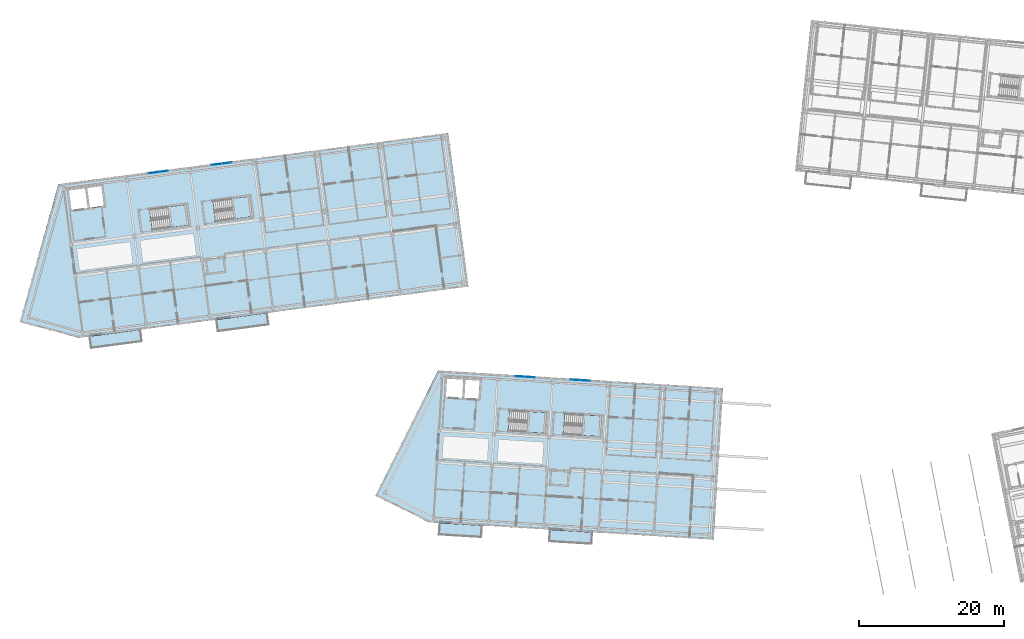
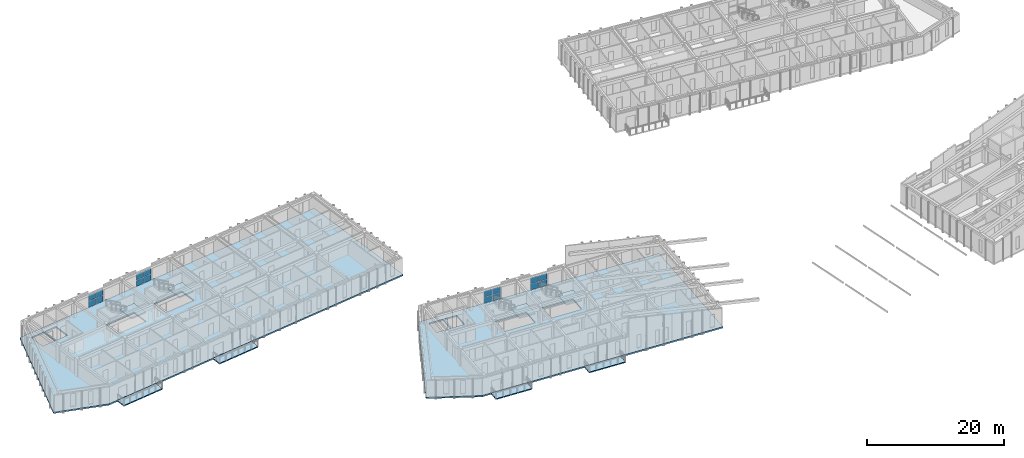
# One storey, part 17 of 56: 16 plates, 10 slabs, 8 elements without a shape of their own.
"""IFC4 building model written with IfcOpenShell, lengths in metres."""

from ifc_helpers import new_model, si_unit, direction, frame, origin, origin_2d, place, context, subcontext, project, spatial, polyline, rectangle, outline, extrude, material, layer, layer_set, type_object, element, aggregate, save


model = new_model("IFC4")

# Units and contexts
model_context = context("Model", 3, precision=1e-05, world=origin(), true_north=direction((0.0, 1.0)))
body_context = subcontext(model_context, "Body", "Model", "MODEL_VIEW")
ifc_project = project(units=[si_unit("LENGTHUNIT", "METRE"), si_unit("AREAUNIT", "SQUARE_METRE"), si_unit("VOLUMEUNIT", "CUBIC_METRE"), si_unit("PLANEANGLEUNIT", "RADIAN"), si_unit("MASSUNIT", "GRAM", prefix="KILO")], contexts=[model_context])

# Site, building, storey
site_placement = place(None, origin())
site = spatial("IfcSite", under=ifc_project, at=site_placement, CompositionType="ELEMENT")
building_placement = place(site_placement, origin())
building = spatial("IfcBuilding", under=site, at=building_placement, Name="Kestramere Prow Commons", CompositionType="ELEMENT")
storey_placement = place(building_placement, frame((0.0, 0.0, 27.89990234375)))
storey = spatial("IfcBuildingStorey", under=building, at=storey_placement, Name="L08", CompositionType="ELEMENT", Elevation=27.89990234375)

# Curtain wall, plates
ifc_material_1 = material(Name="Anodised Aluminium and Low-E Glass", Category="aluminium")
curtain_wall_type = type_object("IfcCurtainWallType", Name="CW-03 Glazed Curtain Wall 2830x2320", PredefinedType="USERDEFINED", material=ifc_material_1)
curtain_wall_1_placement = place(storey_placement, origin())
curtain_wall_1 = element("IfcCurtainWall", 1, at=curtain_wall_1_placement, inside=storey, type_object=curtain_wall_type, Name="Block A L08 Stairwell Vertical Glazing 2", ObjectType="GLAZED CURTAIN WALL", PredefinedType="USERDEFINED")
ifc_material_2 = material(Name="Low-E Laminated Double Glazing", Category="glass")
ifc_layer_1 = layer(ifc_material_2, 0.028076171875)
ifc_layer_set_1 = layer_set([ifc_layer_1], Name="Low-E Laminated Double Glazing")
plate_type = type_object("IfcPlateType", Name="CW-PNL-28", PredefinedType="CURTAIN_PANEL", material=ifc_layer_set_1)
plate_1_placement = place(storey_placement, frame((20.922607421875, 93.982177734375, 0.065185546875), z_axis=(0.0, 0.0, 1.0), x_axis=(0.991444867297, 0.13052614723, 0.0)))
plate_1 = element("IfcPlate", 2, at=plate_1_placement, type_object=plate_type, Name="CW-03 panel 1.1", PredefinedType="CURTAIN_PANEL", context=body_context, shape_type="SweptSolid", body=[
    extrude(rectangle(XDim=1.3173828125, YDim=0.028076171875, at=origin_2d()), origin(), (0.0, 0.0, 1.0), 1.0625),
])
plate_2_placement = place(storey_placement, frame((20.922607421875, 93.982177734375, 1.192626953125), z_axis=(0.0, 0.0, 1.0), x_axis=(0.991444867297, 0.13052614723, 0.0)))
plate_2 = element("IfcPlate", 3, at=plate_2_placement, type_object=plate_type, Name="CW-03 panel 1.2", PredefinedType="CURTAIN_PANEL", context=body_context, shape_type="SweptSolid", body=[
    extrude(rectangle(XDim=1.3173828125, YDim=0.028076171875, at=origin_2d()), origin(), (0.0, 0.0, 1.0), 1.0625),
])
plate_3_placement = place(storey_placement, frame((22.29345703125, 94.16259765625, 0.065185546875), z_axis=(0.0, 0.0, 1.0), x_axis=(0.991444867297, 0.13052614723, 0.0)))
plate_3 = element("IfcPlate", 4, at=plate_3_placement, type_object=plate_type, Name="CW-03 panel 2.1", PredefinedType="CURTAIN_PANEL", context=body_context, shape_type="SweptSolid", body=[
    extrude(rectangle(XDim=1.3173828125, YDim=0.028076171875, at=origin_2d()), origin(), (0.0, 0.0, 1.0), 1.0625),
])
plate_4_placement = place(storey_placement, frame((22.29345703125, 94.16259765625, 1.192626953125), z_axis=(0.0, 0.0, 1.0), x_axis=(0.991444867297, 0.13052614723, 0.0)))
plate_4 = element("IfcPlate", 5, at=plate_4_placement, type_object=plate_type, Name="CW-03 panel 2.2", PredefinedType="CURTAIN_PANEL", context=body_context, shape_type="SweptSolid", body=[
    extrude(rectangle(XDim=1.3173828125, YDim=0.028076171875, at=origin_2d()), origin(), (0.0, 0.0, 1.0), 1.0625),
])
aggregate(curtain_wall_1, [plate_1, plate_2, plate_3, plate_4])

curtain_wall_2_placement = place(storey_placement, origin())
curtain_wall_2 = element("IfcCurtainWall", 6, at=curtain_wall_2_placement, inside=storey, type_object=curtain_wall_type, Name="Block A L08 Stairwell Vertical Glazing 3", ObjectType="GLAZED CURTAIN WALL", PredefinedType="USERDEFINED")
plate_5_placement = place(storey_placement, frame((29.6474609375, 95.130859375, 0.065185546875), z_axis=(0.0, 0.0, 1.0), x_axis=(0.991444821571, 0.130526494555, 0.0)))
plate_5 = element("IfcPlate", 7, at=plate_5_placement, type_object=plate_type, Name="CW-03 panel 1.1", PredefinedType="CURTAIN_PANEL", context=body_context, shape_type="SweptSolid", body=[
    extrude(rectangle(XDim=1.3173828125, YDim=0.028076171875, at=origin_2d()), origin(), (0.0, 0.0, 1.0), 1.0625),
])
plate_6_placement = place(storey_placement, frame((29.6474609375, 95.130859375, 1.192626953125), z_axis=(0.0, 0.0, 1.0), x_axis=(0.991444821571, 0.130526494555, 0.0)))
plate_6 = element("IfcPlate", 8, at=plate_6_placement, type_object=plate_type, Name="CW-03 panel 1.2", PredefinedType="CURTAIN_PANEL", context=body_context, shape_type="SweptSolid", body=[
    extrude(rectangle(XDim=1.3173828125, YDim=0.028076171875, at=origin_2d()), origin(), (0.0, 0.0, 1.0), 1.0625),
])
plate_7_placement = place(storey_placement, frame((31.01806640625, 95.311279296875, 0.065185546875), z_axis=(0.0, 0.0, 1.0), x_axis=(0.991444821571, 0.130526494555, 0.0)))
plate_7 = element("IfcPlate", 9, at=plate_7_placement, type_object=plate_type, Name="CW-03 panel 2.1", PredefinedType="CURTAIN_PANEL", context=body_context, shape_type="SweptSolid", body=[
    extrude(rectangle(XDim=1.3173828125, YDim=0.028076171875, at=origin_2d()), origin(), (0.0, 0.0, 1.0), 1.0625),
])
plate_8_placement = place(storey_placement, frame((31.01806640625, 95.311279296875, 1.192626953125), z_axis=(0.0, 0.0, 1.0), x_axis=(0.991444821571, 0.130526494555, 0.0)))
plate_8 = element("IfcPlate", 10, at=plate_8_placement, type_object=plate_type, Name="CW-03 panel 2.2", PredefinedType="CURTAIN_PANEL", context=body_context, shape_type="SweptSolid", body=[
    extrude(rectangle(XDim=1.3173828125, YDim=0.028076171875, at=origin_2d()), origin(), (0.0, 0.0, 1.0), 1.0625),
])
aggregate(curtain_wall_2, [plate_5, plate_6, plate_7, plate_8])

curtain_wall_3_placement = place(storey_placement, origin())
curtain_wall_3 = element("IfcCurtainWall", 11, at=curtain_wall_3_placement, inside=storey, type_object=curtain_wall_type, Name="Block C L08 Stairwell Vertical Glazing 2", ObjectType="GLAZED CURTAIN WALL", PredefinedType="USERDEFINED")
plate_9_placement = place(storey_placement, frame((71.41748046875, 65.93359375, 0.065185546875), z_axis=(0.0, 0.0, 1.0), x_axis=(0.99813480569, -0.061048420708, 0.0)))
plate_9 = element("IfcPlate", 12, at=plate_9_placement, type_object=plate_type, Name="CW-03 panel 1.1", PredefinedType="CURTAIN_PANEL", context=body_context, shape_type="SweptSolid", body=[
    extrude(rectangle(XDim=1.3173828125, YDim=0.028076171875, at=origin_2d()), origin(), (0.0, 0.0, 1.0), 1.0625),
])
plate_10_placement = place(storey_placement, frame((71.41748046875, 65.93359375, 1.192626953125), z_axis=(0.0, 0.0, 1.0), x_axis=(0.99813480569, -0.061048420708, 0.0)))
plate_10 = element("IfcPlate", 13, at=plate_10_placement, type_object=plate_type, Name="CW-03 panel 1.2", PredefinedType="CURTAIN_PANEL", context=body_context, shape_type="SweptSolid", body=[
    extrude(rectangle(XDim=1.3173828125, YDim=0.028076171875, at=origin_2d()), origin(), (0.0, 0.0, 1.0), 1.0625),
])
plate_11_placement = place(storey_placement, frame((72.79736328125, 65.849365234375, 0.065185546875), z_axis=(0.0, 0.0, 1.0), x_axis=(0.99813480569, -0.061048420708, 0.0)))
plate_11 = element("IfcPlate", 14, at=plate_11_placement, type_object=plate_type, Name="CW-03 panel 2.1", PredefinedType="CURTAIN_PANEL", context=body_context, shape_type="SweptSolid", body=[
    extrude(rectangle(XDim=1.3173828125, YDim=0.028076171875, at=origin_2d()), origin(), (0.0, 0.0, 1.0), 1.0625),
])
plate_12_placement = place(storey_placement, frame((72.79736328125, 65.849365234375, 1.192626953125), z_axis=(0.0, 0.0, 1.0), x_axis=(0.99813480569, -0.061048420708, 0.0)))
plate_12 = element("IfcPlate", 15, at=plate_12_placement, type_object=plate_type, Name="CW-03 panel 2.2", PredefinedType="CURTAIN_PANEL", context=body_context, shape_type="SweptSolid", body=[
    extrude(rectangle(XDim=1.3173828125, YDim=0.028076171875, at=origin_2d()), origin(), (0.0, 0.0, 1.0), 1.0625),
])
aggregate(curtain_wall_3, [plate_9, plate_10, plate_11, plate_12])

curtain_wall_4_placement = place(storey_placement, origin())
curtain_wall_4 = element("IfcCurtainWall", 16, at=curtain_wall_4_placement, inside=storey, type_object=curtain_wall_type, Name="Block C L08 Stairwell Vertical Glazing 3", ObjectType="GLAZED CURTAIN WALL", PredefinedType="USERDEFINED")
plate_13_placement = place(storey_placement, frame((79.003173828125, 65.4697265625, 0.065185546875), z_axis=(0.0, 0.0, 1.0), x_axis=(0.998134807007, -0.061048399176, 0.0)))
plate_13 = element("IfcPlate", 17, at=plate_13_placement, type_object=plate_type, Name="CW-03 panel 1.1", PredefinedType="CURTAIN_PANEL", context=body_context, shape_type="SweptSolid", body=[
    extrude(rectangle(XDim=1.3173828125, YDim=0.028076171875, at=origin_2d()), origin(), (0.0, 0.0, 1.0), 1.0625),
])
plate_14_placement = place(storey_placement, frame((79.003173828125, 65.4697265625, 1.192626953125), z_axis=(0.0, 0.0, 1.0), x_axis=(0.998134807007, -0.061048399176, 0.0)))
plate_14 = element("IfcPlate", 18, at=plate_14_placement, type_object=plate_type, Name="CW-03 panel 1.2", PredefinedType="CURTAIN_PANEL", context=body_context, shape_type="SweptSolid", body=[
    extrude(rectangle(XDim=1.3173828125, YDim=0.028076171875, at=origin_2d()), origin(), (0.0, 0.0, 1.0), 1.0625),
])
plate_15_placement = place(storey_placement, frame((80.383056640625, 65.38525390625, 0.065185546875), z_axis=(0.0, 0.0, 1.0), x_axis=(0.998134807007, -0.061048399176, 0.0)))
plate_15 = element("IfcPlate", 19, at=plate_15_placement, type_object=plate_type, Name="CW-03 panel 2.1", PredefinedType="CURTAIN_PANEL", context=body_context, shape_type="SweptSolid", body=[
    extrude(rectangle(XDim=1.3173828125, YDim=0.028076171875, at=origin_2d()), origin(), (0.0, 0.0, 1.0), 1.0625),
])
plate_16_placement = place(storey_placement, frame((80.383056640625, 65.38525390625, 1.192626953125), z_axis=(0.0, 0.0, 1.0), x_axis=(0.998134807007, -0.061048399176, 0.0)))
plate_16 = element("IfcPlate", 20, at=plate_16_placement, type_object=plate_type, Name="CW-03 panel 2.2", PredefinedType="CURTAIN_PANEL", context=body_context, shape_type="SweptSolid", body=[
    extrude(rectangle(XDim=1.3173828125, YDim=0.028076171875, at=origin_2d()), origin(), (0.0, 0.0, 1.0), 1.0625),
])
aggregate(curtain_wall_4, [plate_13, plate_14, plate_15, plate_16])

# Slabs
ifc_material_3 = material(Name="Precast concrete C40/50", Category="concrete")
ifc_layer_2 = layer(ifc_material_3, 0.179931640625)
ifc_layer_set_2 = layer_set([ifc_layer_2], Name="Precast concrete C40/50")
slab_type_1 = type_object("IfcSlabType", Name="SL-BALC-180", PredefinedType="FLOOR", material=ifc_layer_set_2)
slab_1_placement = place(storey_placement, frame((0.0, 0.0, -0.179931640625)))
element("IfcSlab", 21, at=slab_1_placement, inside=storey, type_object=slab_type_1, Name="Block A L08 Apartment Balcony Slab 1", PredefinedType="FLOOR", context=body_context, shape_type="SweptSolid", body=[
    extrude(outline(polyline([(12.343017578125, 69.83056640625), (19.382080078125, 70.75732421875), (19.166748046875, 72.393310546875), (12.127685546875, 71.466552734375), (12.343017578125, 69.83056640625)])), origin(), (0.0, 0.0, 1.0), 0.179931640625),
])
slab_2_placement = place(storey_placement, frame((0.0, 0.0, -0.179931640625)))
element("IfcSlab", 22, at=slab_2_placement, inside=storey, type_object=slab_type_1, Name="Block A L08 Apartment Balcony Slab 3", PredefinedType="FLOOR", context=body_context, shape_type="SweptSolid", body=[
    extrude(outline(polyline([(29.79248046875, 72.1279296875), (36.83154296875, 73.0546875), (36.6162109375, 74.6904296875), (29.576904296875, 73.763671875), (29.79248046875, 72.1279296875)])), origin(), (0.0, 0.0, 1.0), 0.179931640625),
])
slab_3_placement = place(storey_placement, frame((0.0, 0.0, -0.179931640625)))
element("IfcSlab", 23, at=slab_3_placement, inside=storey, type_object=slab_type_1, Name="Block C L08 Apartment Balcony Slab 1", PredefinedType="FLOOR", context=body_context, shape_type="SweptSolid", body=[
    extrude(outline(polyline([(60.2080078125, 44.15234375), (66.096923828125, 43.792236328125), (66.19775390625, 45.439208984375), (60.308837890625, 45.79931640625), (60.2080078125, 44.15234375)])), origin(), (0.0, 0.0, 1.0), 0.179931640625),
])
slab_4_placement = place(storey_placement, frame((0.0, 0.0, -0.179931640625)))
element("IfcSlab", 24, at=slab_4_placement, inside=storey, type_object=slab_type_1, Name="Block C L08 Apartment Balcony Slab 3", PredefinedType="FLOOR", context=body_context, shape_type="SweptSolid", body=[
    extrude(outline(polyline([(75.379638671875, 43.224365234375), (81.2685546875, 42.8642578125), (81.369384765625, 44.51123046875), (75.48046875, 44.871337890625), (75.379638671875, 43.224365234375)])), origin(), (0.0, 0.0, 1.0), 0.179931640625),
])
ifc_layer_3 = layer(ifc_material_3, 0.25)
ifc_layer_set_3 = layer_set([ifc_layer_3], Name="Precast concrete C40/50")
slab_type_2 = type_object("IfcSlabType", Name="SL-HC-250", PredefinedType="FLOOR", material=ifc_layer_set_3)
slab_5_placement = place(storey_placement, frame((0.0, 0.0, -0.25)))
element("IfcSlab", 25, at=slab_5_placement, inside=storey, type_object=slab_type_2, Name="Block A L08 Hollowcore Floor Slab", PredefinedType="FLOOR", context=body_context, shape_type="SweptSolid", body=[
    extrude(outline(polyline([(2.58203125, 73.48779296875), (10.640380859375, 71.270751953125), (64.277587890625, 78.332275390625), (61.497314453125, 99.449951171875), (7.860107421875, 92.388427734375), (2.58203125, 73.48779296875)]), holes=[polyline([(9.638427734375, 88.84033203125), (11.9189453125, 89.140380859375), (11.559814453125, 91.866943359375), (9.279541015625, 91.566650390625), (9.638427734375, 88.84033203125)]), polyline([(12.166748046875, 89.173095703125), (14.149658203125, 89.43408203125), (13.790771484375, 92.16064453125), (11.807861328125, 91.899658203125), (12.166748046875, 89.173095703125)]), polyline([(20.78857421875, 86.122314453125), (25.844970703125, 86.7880859375), (25.47314453125, 89.61376953125), (20.416748046875, 88.947998046875), (20.78857421875, 86.122314453125)]), polyline([(29.513427734375, 87.27099609375), (34.56982421875, 87.936767578125), (34.19775390625, 90.76220703125), (29.141357421875, 90.0966796875), (29.513427734375, 87.27099609375)])]), origin(), (0.0, 0.0, 1.0), 0.25),
])
slab_6_placement = place(storey_placement, frame((0.0, 0.0, -0.25)))
element("IfcSlab", 26, at=slab_6_placement, inside=storey, type_object=slab_type_2, Name="Block C L08 Hollowcore Floor Slab", PredefinedType="FLOOR", context=body_context, shape_type="SweptSolid", body=[
    extrude(outline(polyline([(51.52392578125, 49.5927734375), (58.8115234375, 45.890869140625), (98.038330078125, 43.49169921875), (99.314208984375, 64.352783203125), (60.08740234375, 66.751953125), (51.52392578125, 49.5927734375)]), holes=[polyline([(61.168212890625, 63.129150390625), (63.464111328125, 62.98876953125), (63.61962890625, 65.533935546875), (61.323974609375, 65.67431640625), (61.168212890625, 63.129150390625)]), polyline([(63.713623046875, 62.973388671875), (65.709716796875, 62.851318359375), (65.865478515625, 65.396728515625), (63.869140625, 65.518798828125), (63.713623046875, 62.973388671875)]), polyline([(69.79833984375, 58.443603515625), (74.888916015625, 58.13232421875), (75.062744140625, 60.976806640625), (69.972412109375, 61.288330078125), (69.79833984375, 58.443603515625)]), polyline([(77.38427734375, 57.9794921875), (82.474609375, 57.668212890625), (82.648681640625, 60.512939453125), (77.55810546875, 60.82421875), (77.38427734375, 57.9794921875)])]), origin(), (0.0, 0.0, 1.0), 0.25),
])

# Stair, slab
ifc_material_4 = material(Name="Concrete C40/50", Category="concrete")
stair_type = type_object("IfcStairType", Name="ST-DOG-1350", PredefinedType="HALF_TURN_STAIR", material=ifc_material_4)
stair_1_placement = place(storey_placement, origin())
stair_1 = element("IfcStair", 27, at=stair_1_placement, inside=storey, type_object=stair_type, Name="L08 Block A Exit Stair 1", PredefinedType="HALF_TURN_STAIR")
ifc_layer_4 = layer(ifc_material_4, 0.199951171875)
ifc_layer_set_4 = layer_set([ifc_layer_4], Name="Concrete C40/50")
slab_type_3 = type_object("IfcSlabType", Name="SL-ST-LAND-200", PredefinedType="LANDING", material=ifc_layer_set_4)
slab_7_placement = place(storey_placement, frame((0.0, 0.0, 1.425048828125)))
slab_7 = element("IfcSlab", 28, at=slab_7_placement, type_object=slab_type_3, Name="ST-A1 landing 1", PredefinedType="LANDING", context=body_context, shape_type="SweptSolid", body=[
    extrude(outline(polyline([(23.287109375, 86.451416015625), (25.844970703125, 86.7880859375), (25.47314453125, 89.61376953125), (22.9150390625, 89.27685546875), (23.287109375, 86.451416015625)])), origin(), (0.0, 0.0, 1.0), 0.199951171875),
])
aggregate(stair_1, [slab_7])

stair_2_placement = place(storey_placement, origin())
stair_2 = element("IfcStair", 29, at=stair_2_placement, inside=storey, type_object=stair_type, Name="L08 Block A Exit Stair 2", PredefinedType="HALF_TURN_STAIR")
slab_8_placement = place(storey_placement, frame((0.0, 0.0, 1.425048828125)))
slab_8 = element("IfcSlab", 30, at=slab_8_placement, type_object=slab_type_3, Name="ST-A2 landing 1", PredefinedType="LANDING", context=body_context, shape_type="SweptSolid", body=[
    extrude(outline(polyline([(32.011962890625, 87.599853515625), (34.56982421875, 87.936767578125), (34.19775390625, 90.76220703125), (31.639892578125, 90.425537109375), (32.011962890625, 87.599853515625)])), origin(), (0.0, 0.0, 1.0), 0.199951171875),
])
aggregate(stair_2, [slab_8])

stair_3_placement = place(storey_placement, origin())
stair_3 = element("IfcStair", 31, at=stair_3_placement, inside=storey, type_object=stair_type, Name="L08 Block C Exit Stair 1", PredefinedType="HALF_TURN_STAIR")
slab_9_placement = place(storey_placement, frame((0.0, 0.0, 1.425048828125)))
slab_9 = element("IfcSlab", 32, at=slab_9_placement, type_object=slab_type_3, Name="ST-C1 landing 1", PredefinedType="LANDING", context=body_context, shape_type="SweptSolid", body=[
    extrude(outline(polyline([(72.313720703125, 58.289794921875), (74.888916015625, 58.13232421875), (75.062744140625, 60.976806640625), (72.487548828125, 61.134521484375), (72.313720703125, 58.289794921875)])), origin(), (0.0, 0.0, 1.0), 0.199951171875),
])
aggregate(stair_3, [slab_9])

stair_4_placement = place(storey_placement, origin())
stair_4 = element("IfcStair", 33, at=stair_4_placement, inside=storey, type_object=stair_type, Name="L08 Block C Exit Stair 2", PredefinedType="HALF_TURN_STAIR")
slab_10_placement = place(storey_placement, frame((0.0, 0.0, 1.425048828125)))
slab_10 = element("IfcSlab", 34, at=slab_10_placement, type_object=slab_type_3, Name="ST-C2 landing 1", PredefinedType="LANDING", context=body_context, shape_type="SweptSolid", body=[
    extrude(outline(polyline([(79.8994140625, 57.82568359375), (82.474609375, 57.668212890625), (82.648681640625, 60.512939453125), (80.073486328125, 60.67041015625), (79.8994140625, 57.82568359375)])), origin(), (0.0, 0.0, 1.0), 0.199951171875),
])
aggregate(stair_4, [slab_10])

save(model, "model.ifc")
